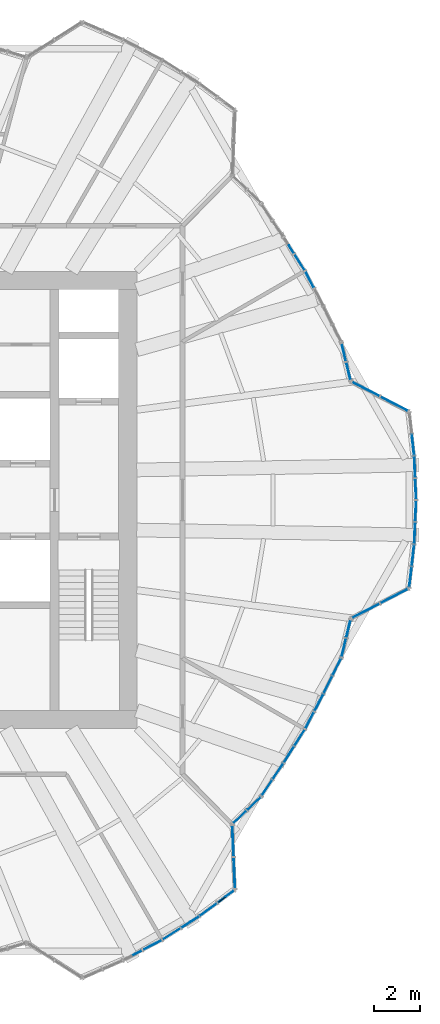
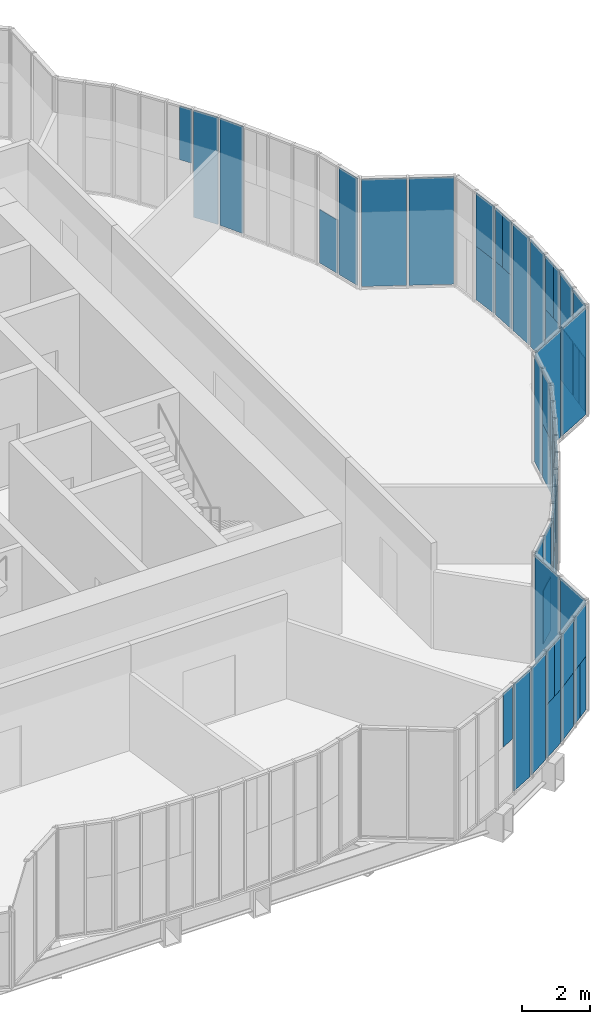
# One storey, part 17 of 24: 59 plates, 19 elements without a shape of their own.
"""IFC4 building model written with IfcOpenShell, lengths in metres."""

from ifc_helpers import new_model, si_unit, direction, frame, origin, origin_2d, place, context, subcontext, project, spatial, rectangle, extrude, material, layer, layer_set, type_object, element, aggregate, save


model = new_model("IFC4")

# Units and contexts
model_context = context("Model", 3, precision=1e-05, world=origin(), true_north=direction((0.0, 1.0)))
body_context = subcontext(model_context, "Body", "Model", "MODEL_VIEW")
ifc_project = project(units=[si_unit("LENGTHUNIT", "METRE"), si_unit("AREAUNIT", "SQUARE_METRE"), si_unit("VOLUMEUNIT", "CUBIC_METRE"), si_unit("PLANEANGLEUNIT", "RADIAN"), si_unit("MASSUNIT", "GRAM", prefix="KILO")], contexts=[model_context])

# Site, building, storey
site_placement = place(None, origin())
site = spatial("IfcSite", under=ifc_project, at=site_placement, CompositionType="ELEMENT")
building_placement = place(site_placement, origin())
building = spatial("IfcBuilding", under=site, at=building_placement, Name="Golbaran Civic Tower", CompositionType="ELEMENT")
storey_placement = place(building_placement, frame((0.0, 0.0, 25.0)))
storey = spatial("IfcBuildingStorey", under=building, at=storey_placement, Name="L05", CompositionType="ELEMENT", Elevation=25.0)

# Curtain wall, plates
ifc_material_1 = material(Name="Aluminium and glass", Category="aluminium")
curtain_wall_type = type_object("IfcCurtainWallType", Name="INNER SKIN CURTAIN WALL", PredefinedType="NOTDEFINED", material=ifc_material_1)
curtain_wall_1_placement = place(storey_placement, origin())
curtain_wall_1 = element("IfcCurtainWall", 1, at=curtain_wall_1_placement, inside=storey, type_object=curtain_wall_type, Name="Inner skin L05 facet 1 CW1", ObjectType="INNER SKIN", PredefinedType="USERDEFINED")
ifc_material_2 = material(Name="Clear insulating glass", Category="glass")
ifc_layer_1 = layer(ifc_material_2, 0.031982421875, Name="Clear insulating glass")
ifc_layer_set_1 = layer_set([ifc_layer_1], Name="Clear insulating glass")
plate_type_1 = type_object("IfcPlateType", Name="INNER SKIN CURTAIN WALL GLAZED PANEL", PredefinedType="CURTAIN_PANEL", material=ifc_layer_set_1)
plate_1_placement = place(storey_placement, frame((22.199951171875, 0.484130859375, 0.06494140625), z_axis=(0.0, 0.0, 1.0), x_axis=(-0.043619387505, 0.999048221576, 0.0)))
plate_1 = element("IfcPlate", 2, at=plate_1_placement, type_object=plate_type_1, Name="CW1 panel 1.1", PredefinedType="CURTAIN_PANEL", context=body_context, shape_type="SweptSolid", body=[
    extrude(rectangle(XDim=0.904296875, YDim=0.031982421875, at=origin_2d()), origin(), (0.0, 0.0, 1.0), 3.8701171875),
])
plate_2_placement = place(storey_placement, frame((22.166259765625, 1.251953125, 2.0), z_axis=(0.0, 0.0, 1.0), x_axis=(-0.043619387505, 0.999048221576, 0.0)))
plate_2 = element("IfcPlate", 3, at=plate_2_placement, type_object=plate_type_1, Name="CW1 panel 2.1 part 2", PredefinedType="CURTAIN_PANEL", context=body_context, shape_type="SweptSolid", body=[
    extrude(rectangle(XDim=0.5029296875, YDim=0.031982421875, at=origin_2d()), origin(), (0.0, 0.0, 1.0), 1.93505859375),
])

curtain_wall_2_placement = place(storey_placement, origin())
curtain_wall_2 = element("IfcCurtainWall", 4, at=curtain_wall_2_placement, inside=storey, type_object=curtain_wall_type, Name="Inner skin L05 facet 3 CW1", ObjectType="INNER SKIN", PredefinedType="USERDEFINED")
plate_3_placement = place(storey_placement, frame((21.261962890625, 4.20263671875, 0.06494140625), z_axis=(0.0, 0.0, 1.0), x_axis=(-0.887428658411, 0.460945090256, 0.0)))
plate_3 = element("IfcPlate", 5, at=plate_3_placement, type_object=plate_type_1, Name="CW1 panel 1.1", PredefinedType="CURTAIN_PANEL", context=body_context, shape_type="SweptSolid", body=[
    extrude(rectangle(XDim=1.33935546875, YDim=0.031982421875, at=origin_2d()), origin(), (0.0, 0.0, 1.0), 3.8701171875),
])
plate_4_placement = place(storey_placement, frame((20.015869140625, 4.849853515625, 0.06494140625), z_axis=(0.0, 0.0, 1.0), x_axis=(-0.887428658411, 0.460945090256, 0.0)))
plate_4 = element("IfcPlate", 6, at=plate_4_placement, type_object=plate_type_1, Name="CW1 panel 2.1", PredefinedType="CURTAIN_PANEL", context=body_context, shape_type="SweptSolid", body=[
    extrude(rectangle(XDim=1.33935546875, YDim=0.031982421875, at=origin_2d()), origin(), (0.0, 0.0, 1.0), 3.8701171875),
])
aggregate(curtain_wall_2, [plate_3, plate_4])

curtain_wall_3_placement = place(storey_placement, origin())
curtain_wall_3 = element("IfcCurtainWall", 7, at=curtain_wall_3_placement, inside=storey, type_object=curtain_wall_type, Name="Inner skin L05 facet 4 CW1", ObjectType="INNER SKIN", PredefinedType="USERDEFINED")
plate_5_placement = place(storey_placement, frame((19.256591796875, 5.631591796875, 0.06494140625), z_axis=(0.0, 0.0, 1.0), x_axis=(-0.235524616461, 0.9718683836, 0.0)))
plate_5 = element("IfcPlate", 8, at=plate_5_placement, type_object=plate_type_1, Name="CW1 panel 1.1", PredefinedType="CURTAIN_PANEL", context=body_context, shape_type="SweptSolid", body=[
    extrude(rectangle(XDim=0.781494140625, YDim=0.031982421875, at=origin_2d()), origin(), (0.0, 0.0, 1.0), 3.8701171875),
])
plate_6_placement = place(storey_placement, frame((19.05712890625, 6.454345703125, 0.06494140625), z_axis=(0.0, 0.0, 1.0), x_axis=(-0.235524616461, 0.9718683836, 0.0)))
plate_6 = element("IfcPlate", 9, at=plate_6_placement, type_object=plate_type_1, Name="CW1 panel 2.1 part 1", PredefinedType="CURTAIN_PANEL", context=body_context, shape_type="SweptSolid", body=[
    extrude(rectangle(XDim=0.781494140625, YDim=0.031982421875, at=origin_2d()), origin(), (0.0, 0.0, 1.0), 1.93505859375),
])
aggregate(curtain_wall_3, [plate_5, plate_6])

# Curtain wall, plate
curtain_wall_4_placement = place(storey_placement, origin())
curtain_wall_4 = element("IfcCurtainWall", 10, at=curtain_wall_4_placement, inside=storey, type_object=curtain_wall_type, Name="Inner skin L05 facet 6 CW1", ObjectType="INNER SKIN", PredefinedType="USERDEFINED")
plate_7_placement = place(storey_placement, frame((17.56298828125, 9.6357421875, 0.06494140625), z_axis=(0.0, 0.0, 1.0), x_axis=(-0.461748613189, 0.887010833202, 0.0)))
plate_7 = element("IfcPlate", 11, at=plate_7_placement, type_object=plate_type_1, Name="CW1 panel 2.1", PredefinedType="CURTAIN_PANEL", context=body_context, shape_type="SweptSolid", body=[
    extrude(rectangle(XDim=0.809326171875, YDim=0.031982421875, at=origin_2d()), origin(), (0.0, 0.0, 1.0), 3.8701171875),
])
aggregate(curtain_wall_4, [plate_7])

# Curtain wall, plates
curtain_wall_5_placement = place(storey_placement, origin())
curtain_wall_5 = element("IfcCurtainWall", 12, at=curtain_wall_5_placement, inside=storey, type_object=curtain_wall_type, Name="Inner skin L05 facet 7 CW1", ObjectType="INNER SKIN", PredefinedType="USERDEFINED")
plate_8_placement = place(storey_placement, frame((17.126220703125, 10.392333984375, 0.06494140625), z_axis=(0.0, 0.0, 1.0), x_axis=(-0.537299608303, 0.843391445841, 0.0)))
plate_8 = element("IfcPlate", 13, at=plate_8_placement, type_object=plate_type_1, Name="CW1 panel 1.1", PredefinedType="CURTAIN_PANEL", context=body_context, shape_type="SweptSolid", body=[
    extrude(rectangle(XDim=0.809326171875, YDim=0.031982421875, at=origin_2d()), origin(), (0.0, 0.0, 1.0), 3.8701171875),
])
plate_9_placement = place(storey_placement, frame((16.764404296875, 10.96044921875, 2.0), z_axis=(0.0, 0.0, 1.0), x_axis=(-0.537299608303, 0.843391445841, 0.0)))
plate_9 = element("IfcPlate", 14, at=plate_9_placement, type_object=plate_type_1, Name="CW1 panel 2.1 part 2", PredefinedType="CURTAIN_PANEL", context=body_context, shape_type="SweptSolid", body=[
    extrude(rectangle(XDim=0.407958984375, YDim=0.031982421875, at=origin_2d()), origin(), (0.0, 0.0, 1.0), 1.93505859375),
])
aggregate(curtain_wall_5, [plate_8, plate_9])

curtain_wall_6_placement = place(storey_placement, origin())
curtain_wall_6 = element("IfcCurtainWall", 15, at=curtain_wall_6_placement, inside=storey, type_object=curtain_wall_type, Name="Inner skin L05 facet 60 CW1", ObjectType="INNER SKIN", PredefinedType="USERDEFINED")
plate_10_placement = place(storey_placement, frame((9.998291015625, -19.822998046875, 2.0), z_axis=(0.0, 0.0, 1.0), x_axis=(0.887010833033, 0.461748613514, 0.0)))
plate_10 = element("IfcPlate", 16, at=plate_10_placement, type_object=plate_type_1, Name="CW1 panel 1.1 part 3", PredefinedType="CURTAIN_PANEL", context=body_context, shape_type="SweptSolid", body=[
    extrude(rectangle(XDim=0.504150390625, YDim=0.031982421875, at=origin_2d()), origin(), (0.0, 0.0, 1.0), 1.93505859375),
])
plate_11_placement = place(storey_placement, frame((10.6806640625, -19.4677734375, 0.06494140625), z_axis=(0.0, 0.0, 1.0), x_axis=(0.887010833033, 0.461748613514, 0.0)))
plate_11 = element("IfcPlate", 17, at=plate_11_placement, type_object=plate_type_1, Name="CW1 panel 2.1", PredefinedType="CURTAIN_PANEL", context=body_context, shape_type="SweptSolid", body=[
    extrude(rectangle(XDim=0.904296875, YDim=0.031982421875, at=origin_2d()), origin(), (0.0, 0.0, 1.0), 3.8701171875),
])
aggregate(curtain_wall_6, [plate_10, plate_11])

curtain_wall_7_placement = place(storey_placement, origin())
curtain_wall_7 = element("IfcCurtainWall", 18, at=curtain_wall_7_placement, inside=storey, type_object=curtain_wall_type, Name="Inner skin L05 facet 61 CW1", ObjectType="INNER SKIN", PredefinedType="USERDEFINED")
plate_12_placement = place(storey_placement, frame((11.519287109375, -18.983642578125, 0.06494140625), z_axis=(0.0, 0.0, 1.0), x_axis=(0.843391445869, 0.537299608259, 0.0)))
plate_12 = element("IfcPlate", 19, at=plate_12_placement, type_object=plate_type_1, Name="CW1 panel 1.1", PredefinedType="CURTAIN_PANEL", context=body_context, shape_type="SweptSolid", body=[
    extrude(rectangle(XDim=0.904296875, YDim=0.031982421875, at=origin_2d()), origin(), (0.0, 0.0, 1.0), 3.8701171875),
])
plate_13_placement = place(storey_placement, frame((12.16748046875, -18.570556640625, 2.0), z_axis=(0.0, 0.0, 1.0), x_axis=(0.843391445869, 0.537299608259, 0.0)))
plate_13 = element("IfcPlate", 20, at=plate_13_placement, type_object=plate_type_1, Name="CW1 panel 2.1 part 2", PredefinedType="CURTAIN_PANEL", context=body_context, shape_type="SweptSolid", body=[
    extrude(rectangle(XDim=0.5029296875, YDim=0.031982421875, at=origin_2d()), origin(), (0.0, 0.0, 1.0), 1.93505859375),
])

# Curtain wall, plate
curtain_wall_8_placement = place(storey_placement, origin())
curtain_wall_8 = element("IfcCurtainWall", 21, at=curtain_wall_8_placement, inside=storey, type_object=curtain_wall_type, Name="Inner skin L05 facet 62 CW1", ObjectType="INNER SKIN", PredefinedType="USERDEFINED")
plate_14_placement = place(storey_placement, frame((14.061767578125, -17.225341796875, 0.06494140625), z_axis=(0.0, 0.0, 1.0), x_axis=(0.802969962931, 0.596019495177, 0.0)))
plate_14 = element("IfcPlate", 22, at=plate_14_placement, type_object=plate_type_1, Name="CW1 panel 2.1 part 2", PredefinedType="CURTAIN_PANEL", context=body_context, shape_type="SweptSolid", body=[
    extrude(rectangle(XDim=0.4716796875, YDim=0.031982421875, at=origin_2d()), origin(), (0.0, 0.0, 1.0), 1.93505859375),
])

# Curtain wall, plates
curtain_wall_9_placement = place(storey_placement, origin())
curtain_wall_9 = element("IfcCurtainWall", 23, at=curtain_wall_9_placement, inside=storey, type_object=curtain_wall_type, Name="Inner skin L05 facet 63 CW1", ObjectType="INNER SKIN", PredefinedType="USERDEFINED")
plate_15_placement = place(storey_placement, frame((14.2705078125, -16.31201171875, 0.06494140625), z_axis=(0.0, 0.0, 1.0), x_axis=(-0.044524171678, 0.999008307341, 0.0)))
plate_15 = element("IfcPlate", 24, at=plate_15_placement, type_object=plate_type_1, Name="CW1 panel 1.1", PredefinedType="CURTAIN_PANEL", context=body_context, shape_type="SweptSolid", body=[
    extrude(rectangle(XDim=1.33935546875, YDim=0.031982421875, at=origin_2d()), origin(), (0.0, 0.0, 1.0), 3.8701171875),
])
plate_16_placement = place(storey_placement, frame((14.2080078125, -14.9091796875, 0.06494140625), z_axis=(0.0, 0.0, 1.0), x_axis=(-0.044524171678, 0.999008307341, 0.0)))
plate_16 = element("IfcPlate", 25, at=plate_16_placement, type_object=plate_type_1, Name="CW1 panel 2.1", PredefinedType="CURTAIN_PANEL", context=body_context, shape_type="SweptSolid", body=[
    extrude(rectangle(XDim=1.33935546875, YDim=0.031982421875, at=origin_2d()), origin(), (0.0, 0.0, 1.0), 3.8701171875),
])
aggregate(curtain_wall_9, [plate_15, plate_16])

curtain_wall_10_placement = place(storey_placement, origin())
curtain_wall_10 = element("IfcCurtainWall", 26, at=curtain_wall_10_placement, inside=storey, type_object=curtain_wall_type, Name="Inner skin L05 facet 64 CW1", ObjectType="INNER SKIN", PredefinedType="USERDEFINED")
plate_17_placement = place(storey_placement, frame((14.50537109375, -13.86083984375, 0.06494140625), z_axis=(0.0, 0.0, 1.0), x_axis=(0.723900401463, 0.689904492493, 0.0)))
plate_17 = element("IfcPlate", 27, at=plate_17_placement, type_object=plate_type_1, Name="CW1 panel 1.1", PredefinedType="CURTAIN_PANEL", context=body_context, shape_type="SweptSolid", body=[
    extrude(rectangle(XDim=0.781494140625, YDim=0.031982421875, at=origin_2d()), origin(), (0.0, 0.0, 1.0), 3.8701171875),
])
plate_18_placement = place(storey_placement, frame((15.1181640625, -13.27685546875, 0.06494140625), z_axis=(0.0, 0.0, 1.0), x_axis=(0.723900401463, 0.689904492493, 0.0)))
plate_18 = element("IfcPlate", 28, at=plate_18_placement, type_object=plate_type_1, Name="CW1 panel 2.1 part 1", PredefinedType="CURTAIN_PANEL", context=body_context, shape_type="SweptSolid", body=[
    extrude(rectangle(XDim=0.781494140625, YDim=0.031982421875, at=origin_2d()), origin(), (0.0, 0.0, 1.0), 1.93505859375),
])

curtain_wall_11_placement = place(storey_placement, origin())
curtain_wall_11 = element("IfcCurtainWall", 29, at=curtain_wall_11_placement, inside=storey, type_object=curtain_wall_type, Name="Inner skin L05 facet 66 CW1", ObjectType="INNER SKIN", PredefinedType="USERDEFINED")
plate_19_placement = place(storey_placement, frame((16.76416015625, -10.960693359375, 2.0), z_axis=(0.0, 0.0, 1.0), x_axis=(0.537299608303, 0.843391445841, 0.0)))
plate_19 = element("IfcPlate", 30, at=plate_19_placement, type_object=plate_type_1, Name="CW1 panel 1.1 part 3", PredefinedType="CURTAIN_PANEL", context=body_context, shape_type="SweptSolid", body=[
    extrude(rectangle(XDim=0.408447265625, YDim=0.031982421875, at=origin_2d()), origin(), (0.0, 0.0, 1.0), 1.93505859375),
])
plate_20_placement = place(storey_placement, frame((17.126220703125, -10.392333984375, 0.06494140625), z_axis=(0.0, 0.0, 1.0), x_axis=(0.537299608303, 0.843391445841, 0.0)))
plate_20 = element("IfcPlate", 31, at=plate_20_placement, type_object=plate_type_1, Name="CW1 panel 2.1", PredefinedType="CURTAIN_PANEL", context=body_context, shape_type="SweptSolid", body=[
    extrude(rectangle(XDim=0.809326171875, YDim=0.031982421875, at=origin_2d()), origin(), (0.0, 0.0, 1.0), 3.8701171875),
])

curtain_wall_12_placement = place(storey_placement, origin())
curtain_wall_12 = element("IfcCurtainWall", 32, at=curtain_wall_12_placement, inside=storey, type_object=curtain_wall_type, Name="Inner skin L05 facet 67 CW1", ObjectType="INNER SKIN", PredefinedType="USERDEFINED")
plate_21_placement = place(storey_placement, frame((17.56298828125, -9.6357421875, 0.06494140625), z_axis=(0.0, 0.0, 1.0), x_axis=(0.461748613189, 0.887010833202, 0.0)))
plate_21 = element("IfcPlate", 33, at=plate_21_placement, type_object=plate_type_1, Name="CW1 panel 1.1", PredefinedType="CURTAIN_PANEL", context=body_context, shape_type="SweptSolid", body=[
    extrude(rectangle(XDim=0.809326171875, YDim=0.031982421875, at=origin_2d()), origin(), (0.0, 0.0, 1.0), 3.8701171875),
])
plate_22_placement = place(storey_placement, frame((17.874267578125, -9.0380859375, 2.0), z_axis=(0.0, 0.0, 1.0), x_axis=(0.461748613189, 0.887010833202, 0.0)))
plate_22 = element("IfcPlate", 34, at=plate_22_placement, type_object=plate_type_1, Name="CW1 panel 2.1 part 2", PredefinedType="CURTAIN_PANEL", context=body_context, shape_type="SweptSolid", body=[
    extrude(rectangle(XDim=0.407958984375, YDim=0.031982421875, at=origin_2d()), origin(), (0.0, 0.0, 1.0), 1.93505859375),
])

curtain_wall_13_placement = place(storey_placement, origin())
curtain_wall_13 = element("IfcCurtainWall", 35, at=curtain_wall_13_placement, inside=storey, type_object=curtain_wall_type, Name="Inner skin L05 facet 69 CW1", ObjectType="INNER SKIN", PredefinedType="USERDEFINED")
plate_23_placement = place(storey_placement, frame((19.05712890625, -6.454345703125, 0.06494140625), z_axis=(0.0, 0.0, 1.0), x_axis=(0.235524616461, 0.9718683836, 0.0)))
plate_23 = element("IfcPlate", 36, at=plate_23_placement, type_object=plate_type_1, Name="CW1 panel 1.1 part 1", PredefinedType="CURTAIN_PANEL", context=body_context, shape_type="SweptSolid", body=[
    extrude(rectangle(XDim=0.781494140625, YDim=0.031982421875, at=origin_2d()), origin(), (0.0, 0.0, 1.0), 1.93505859375),
])
plate_24_placement = place(storey_placement, frame((19.256591796875, -5.631591796875, 0.06494140625), z_axis=(0.0, 0.0, 1.0), x_axis=(0.235524616461, 0.9718683836, 0.0)))
plate_24 = element("IfcPlate", 37, at=plate_24_placement, type_object=plate_type_1, Name="CW1 panel 2.1", PredefinedType="CURTAIN_PANEL", context=body_context, shape_type="SweptSolid", body=[
    extrude(rectangle(XDim=0.781494140625, YDim=0.031982421875, at=origin_2d()), origin(), (0.0, 0.0, 1.0), 3.8701171875),
])

curtain_wall_14_placement = place(storey_placement, origin())
curtain_wall_14 = element("IfcCurtainWall", 38, at=curtain_wall_14_placement, inside=storey, type_object=curtain_wall_type, Name="Inner skin L05 facet 70 CW1", ObjectType="INNER SKIN", PredefinedType="USERDEFINED")
plate_25_placement = place(storey_placement, frame((20.015869140625, -4.849853515625, 0.06494140625), z_axis=(0.0, 0.0, 1.0), x_axis=(0.887428658411, 0.460945090256, 0.0)))
plate_25 = element("IfcPlate", 39, at=plate_25_placement, type_object=plate_type_1, Name="CW1 panel 1.1", PredefinedType="CURTAIN_PANEL", context=body_context, shape_type="SweptSolid", body=[
    extrude(rectangle(XDim=1.33935546875, YDim=0.031982421875, at=origin_2d()), origin(), (0.0, 0.0, 1.0), 3.8701171875),
])
plate_26_placement = place(storey_placement, frame((21.261962890625, -4.20263671875, 0.06494140625), z_axis=(0.0, 0.0, 1.0), x_axis=(0.887428658411, 0.460945090256, 0.0)))
plate_26 = element("IfcPlate", 40, at=plate_26_placement, type_object=plate_type_1, Name="CW1 panel 2.1", PredefinedType="CURTAIN_PANEL", context=body_context, shape_type="SweptSolid", body=[
    extrude(rectangle(XDim=1.33935546875, YDim=0.031982421875, at=origin_2d()), origin(), (0.0, 0.0, 1.0), 3.8701171875),
])
aggregate(curtain_wall_14, [plate_25, plate_26])

# Curtain wall, plate
curtain_wall_15_placement = place(storey_placement, origin())
curtain_wall_15 = element("IfcCurtainWall", 41, at=curtain_wall_15_placement, inside=storey, type_object=curtain_wall_type, Name="Inner skin L05 facet 71 CW1", ObjectType="INNER SKIN", PredefinedType="USERDEFINED")
plate_27_placement = place(storey_placement, frame((21.948486328125, -3.5654296875, 0.06494140625), z_axis=(0.0, 0.0, 1.0), x_axis=(0.114683042492, 0.993402133964, 0.0)))
plate_27 = element("IfcPlate", 42, at=plate_27_placement, type_object=plate_type_1, Name="CW1 panel 1.1 part 1", PredefinedType="CURTAIN_PANEL", context=body_context, shape_type="SweptSolid", body=[
    extrude(rectangle(XDim=0.470947265625, YDim=0.031982421875, at=origin_2d()), origin(), (0.0, 0.0, 1.0), 1.93505859375),
])

# Curtain wall, plates
curtain_wall_16_placement = place(storey_placement, origin())
curtain_wall_16 = element("IfcCurtainWall", 43, at=curtain_wall_16_placement, inside=storey, type_object=curtain_wall_type, Name="Inner skin L05 facet 72 CW1", ObjectType="INNER SKIN", PredefinedType="USERDEFINED")
plate_28_placement = place(storey_placement, frame((22.166259765625, -1.252685546875, 2.0), z_axis=(0.0, 0.0, 1.0), x_axis=(0.043619387505, 0.999048221576, 0.0)))
plate_28 = element("IfcPlate", 44, at=plate_28_placement, type_object=plate_type_1, Name="CW1 panel 1.1 part 3", PredefinedType="CURTAIN_PANEL", context=body_context, shape_type="SweptSolid", body=[
    extrude(rectangle(XDim=0.504150390625, YDim=0.031982421875, at=origin_2d()), origin(), (0.0, 0.0, 1.0), 1.93505859375),
])
plate_29_placement = place(storey_placement, frame((22.199951171875, -0.484130859375, 0.06494140625), z_axis=(0.0, 0.0, 1.0), x_axis=(0.043619387505, 0.999048221576, 0.0)))
plate_29 = element("IfcPlate", 45, at=plate_29_placement, type_object=plate_type_1, Name="CW1 panel 2.1", PredefinedType="CURTAIN_PANEL", context=body_context, shape_type="SweptSolid", body=[
    extrude(rectangle(XDim=0.904296875, YDim=0.031982421875, at=origin_2d()), origin(), (0.0, 0.0, 1.0), 3.8701171875),
])

# Plate
ifc_material_3 = material(Name="Aluminium faced opaque infill panel", Category="aluminium")
ifc_layer_2 = layer(ifc_material_3, 0.031982421875, Name="Aluminium faced opaque infill panel")
ifc_layer_set_2 = layer_set([ifc_layer_2], Name="Aluminium faced opaque infill panel")
plate_type_2 = type_object("IfcPlateType", Name="INNER SKIN CURTAIN WALL OPAQUE INFILL PANEL", PredefinedType="CURTAIN_PANEL", material=ifc_layer_set_2)
plate_30_placement = place(storey_placement, frame((22.157470703125, 1.45263671875, 0.06494140625), z_axis=(0.0, 0.0, 1.0), x_axis=(-0.043619387505, 0.999048221576, 0.0)))
plate_30 = element("IfcPlate", 46, at=plate_30_placement, type_object=plate_type_2, Name="CW1 infill panel 2.1 part 1", PredefinedType="CURTAIN_PANEL", context=body_context, shape_type="SweptSolid", body=[
    extrude(rectangle(XDim=0.904296875, YDim=0.031982421875, at=origin_2d()), origin(), (0.0, 0.0, 1.0), 1.93505859375),
])

plate_31_placement = place(storey_placement, frame((22.146728515625, 1.703857421875, 2.0), z_axis=(0.0, 0.0, 1.0), x_axis=(-0.043619387505, 0.999048221576, 0.0)))
plate_31 = element("IfcPlate", 47, at=plate_31_placement, type_object=plate_type_2, Name="CW1 infill panel 2.1 part 3", PredefinedType="CURTAIN_PANEL", context=body_context, shape_type="SweptSolid", body=[
    extrude(rectangle(XDim=0.4013671875, YDim=0.031982421875, at=origin_2d()), origin(), (0.0, 0.0, 1.0), 1.93505859375),
])

aggregate(curtain_wall_1, [plate_1, plate_30, plate_2, plate_31])

# Curtain wall, plates
curtain_wall_17_placement = place(storey_placement, origin())
curtain_wall_17 = element("IfcCurtainWall", 48, at=curtain_wall_17_placement, inside=storey, type_object=curtain_wall_type, Name="Inner skin L05 facet 2 CW1", ObjectType="INNER SKIN", PredefinedType="USERDEFINED")
plate_32_placement = place(storey_placement, frame((22.080810546875, 2.41845703125, 0.06494140625), z_axis=(0.0, 0.0, 1.0), x_axis=(-0.114683042492, 0.993402133964, 0.0)))
plate_32 = element("IfcPlate", 49, at=plate_32_placement, type_object=plate_type_2, Name="CW1 infill panel 1.1 part 1", PredefinedType="CURTAIN_PANEL", context=body_context, shape_type="SweptSolid", body=[
    extrude(rectangle(XDim=0.905029296875, YDim=0.031982421875, at=origin_2d()), origin(), (0.0, 0.0, 1.0), 1.93505859375),
])
plate_33_placement = place(storey_placement, frame((22.080810546875, 2.41845703125, 2.0), z_axis=(0.0, 0.0, 1.0), x_axis=(-0.114683042492, 0.993402133964, 0.0)))
plate_33 = element("IfcPlate", 50, at=plate_33_placement, type_object=plate_type_2, Name="CW1 infill panel 1.1 part 2", PredefinedType="CURTAIN_PANEL", context=body_context, shape_type="SweptSolid", body=[
    extrude(rectangle(XDim=0.905029296875, YDim=0.031982421875, at=origin_2d()), origin(), (0.0, 0.0, 1.0), 1.93505859375),
])
aggregate(curtain_wall_17, [plate_32, plate_33])

# Plate
plate_34_placement = place(storey_placement, frame((12.336669921875, -18.462890625, 0.06494140625), z_axis=(0.0, 0.0, 1.0), x_axis=(0.843391445869, 0.537299608259, 0.0)))
plate_34 = element("IfcPlate", 51, at=plate_34_placement, type_object=plate_type_2, Name="CW1 infill panel 2.1 part 1", PredefinedType="CURTAIN_PANEL", context=body_context, shape_type="SweptSolid", body=[
    extrude(rectangle(XDim=0.904296875, YDim=0.031982421875, at=origin_2d()), origin(), (0.0, 0.0, 1.0), 1.93505859375),
])

plate_35_placement = place(storey_placement, frame((12.548828125, -18.32763671875, 2.0), z_axis=(0.0, 0.0, 1.0), x_axis=(0.843391445869, 0.537299608259, 0.0)))
plate_35 = element("IfcPlate", 52, at=plate_35_placement, type_object=plate_type_2, Name="CW1 infill panel 2.1 part 3", PredefinedType="CURTAIN_PANEL", context=body_context, shape_type="SweptSolid", body=[
    extrude(rectangle(XDim=0.4013671875, YDim=0.031982421875, at=origin_2d()), origin(), (0.0, 0.0, 1.0), 1.93505859375),
])

aggregate(curtain_wall_7, [plate_12, plate_34, plate_13, plate_35])

plate_36_placement = place(storey_placement, frame((13.135009765625, -17.913330078125, 0.06494140625), z_axis=(0.0, 0.0, 1.0), x_axis=(0.802969962931, 0.596019495177, 0.0)))
plate_36 = element("IfcPlate", 53, at=plate_36_placement, type_object=plate_type_2, Name="CW1 infill panel 1.1 part 1", PredefinedType="CURTAIN_PANEL", context=body_context, shape_type="SweptSolid", body=[
    extrude(rectangle(XDim=0.905029296875, YDim=0.031982421875, at=origin_2d()), origin(), (0.0, 0.0, 1.0), 1.93505859375),
])

plate_37_placement = place(storey_placement, frame((13.135009765625, -17.913330078125, 2.0), z_axis=(0.0, 0.0, 1.0), x_axis=(0.802969962931, 0.596019495177, 0.0)))
plate_37 = element("IfcPlate", 54, at=plate_37_placement, type_object=plate_type_2, Name="CW1 infill panel 1.1 part 2", PredefinedType="CURTAIN_PANEL", context=body_context, shape_type="SweptSolid", body=[
    extrude(rectangle(XDim=0.905029296875, YDim=0.031982421875, at=origin_2d()), origin(), (0.0, 0.0, 1.0), 1.93505859375),
])

plate_38_placement = place(storey_placement, frame((13.71142578125, -17.4853515625, 0.06494140625), z_axis=(0.0, 0.0, 1.0), x_axis=(0.802969962931, 0.596019495177, 0.0)))
plate_38 = element("IfcPlate", 55, at=plate_38_placement, type_object=plate_type_2, Name="CW1 infill panel 2.1 part 1", PredefinedType="CURTAIN_PANEL", context=body_context, shape_type="SweptSolid", body=[
    extrude(rectangle(XDim=0.40087890625, YDim=0.031982421875, at=origin_2d()), origin(), (0.0, 0.0, 1.0), 1.93505859375),
])

plate_39_placement = place(storey_placement, frame((13.90087890625, -17.3447265625, 2.0), z_axis=(0.0, 0.0, 1.0), x_axis=(0.802969962931, 0.596019495177, 0.0)))
plate_39 = element("IfcPlate", 56, at=plate_39_placement, type_object=plate_type_2, Name="CW1 infill panel 2.1 part 3", PredefinedType="CURTAIN_PANEL", context=body_context, shape_type="SweptSolid", body=[
    extrude(rectangle(XDim=0.87255859375, YDim=0.031982421875, at=origin_2d()), origin(), (0.0, 0.0, 1.0), 1.93505859375),
])

aggregate(curtain_wall_8, [plate_36, plate_37, plate_38, plate_14, plate_39])

plate_40_placement = place(storey_placement, frame((15.1181640625, -13.27685546875, 2.0), z_axis=(0.0, 0.0, 1.0), x_axis=(0.723900401463, 0.689904492493, 0.0)))
plate_40 = element("IfcPlate", 57, at=plate_40_placement, type_object=plate_type_2, Name="CW1 infill panel 2.1 part 2", PredefinedType="CURTAIN_PANEL", context=body_context, shape_type="SweptSolid", body=[
    extrude(rectangle(XDim=0.781494140625, YDim=0.031982421875, at=origin_2d()), origin(), (0.0, 0.0, 1.0), 1.93505859375),
])

aggregate(curtain_wall_10, [plate_17, plate_18, plate_40])

# Curtain wall, plates
curtain_wall_18_placement = place(storey_placement, origin())
curtain_wall_18 = element("IfcCurtainWall", 58, at=curtain_wall_18_placement, inside=storey, type_object=curtain_wall_type, Name="Inner skin L05 facet 65 CW1", ObjectType="INNER SKIN", PredefinedType="USERDEFINED")
plate_41_placement = place(storey_placement, frame((15.700439453125, -12.5830078125, 0.06494140625), z_axis=(0.0, 0.0, 1.0), x_axis=(0.553719307998, 0.832703385336, 0.0)))
plate_41 = element("IfcPlate", 59, at=plate_41_placement, type_object=plate_type_2, Name="CW1 infill panel 1.1 part 1", PredefinedType="CURTAIN_PANEL", context=body_context, shape_type="SweptSolid", body=[
    extrude(rectangle(XDim=0.781494140625, YDim=0.031982421875, at=origin_2d()), origin(), (0.0, 0.0, 1.0), 1.93505859375),
])
plate_42_placement = place(storey_placement, frame((15.700439453125, -12.5830078125, 2.0), z_axis=(0.0, 0.0, 1.0), x_axis=(0.553719307998, 0.832703385336, 0.0)))
plate_42 = element("IfcPlate", 60, at=plate_42_placement, type_object=plate_type_2, Name="CW1 infill panel 1.1 part 2", PredefinedType="CURTAIN_PANEL", context=body_context, shape_type="SweptSolid", body=[
    extrude(rectangle(XDim=0.781494140625, YDim=0.031982421875, at=origin_2d()), origin(), (0.0, 0.0, 1.0), 1.93505859375),
])
plate_43_placement = place(storey_placement, frame((16.17822265625, -11.864501953125, 0.06494140625), z_axis=(0.0, 0.0, 1.0), x_axis=(0.553719307998, 0.832703385336, 0.0)))
plate_43 = element("IfcPlate", 61, at=plate_43_placement, type_object=plate_type_2, Name="CW1 infill panel 2.1 part 1", PredefinedType="CURTAIN_PANEL", context=body_context, shape_type="SweptSolid", body=[
    extrude(rectangle(XDim=0.81396484375, YDim=0.031982421875, at=origin_2d()), origin(), (0.0, 0.0, 1.0), 1.93505859375),
])
plate_44_placement = place(storey_placement, frame((16.17822265625, -11.864501953125, 2.0), z_axis=(0.0, 0.0, 1.0), x_axis=(0.553719307998, 0.832703385336, 0.0)))
plate_44 = element("IfcPlate", 62, at=plate_44_placement, type_object=plate_type_2, Name="CW1 infill panel 2.1 part 2", PredefinedType="CURTAIN_PANEL", context=body_context, shape_type="SweptSolid", body=[
    extrude(rectangle(XDim=0.81396484375, YDim=0.031982421875, at=origin_2d()), origin(), (0.0, 0.0, 1.0), 1.93505859375),
])
aggregate(curtain_wall_18, [plate_41, plate_42, plate_43, plate_44])

# Plate
plate_45_placement = place(storey_placement, frame((16.656494140625, -11.129638671875, 0.06494140625), z_axis=(0.0, 0.0, 1.0), x_axis=(0.537299608303, 0.843391445841, 0.0)))
plate_45 = element("IfcPlate", 63, at=plate_45_placement, type_object=plate_type_2, Name="CW1 infill panel 1.1 part 1", PredefinedType="CURTAIN_PANEL", context=body_context, shape_type="SweptSolid", body=[
    extrude(rectangle(XDim=0.809326171875, YDim=0.031982421875, at=origin_2d()), origin(), (0.0, 0.0, 1.0), 1.93505859375),
])

plate_46_placement = place(storey_placement, frame((16.546630859375, -11.302001953125, 2.0), z_axis=(0.0, 0.0, 1.0), x_axis=(0.537299608303, 0.843391445841, 0.0)))
plate_46 = element("IfcPlate", 64, at=plate_46_placement, type_object=plate_type_2, Name="CW1 infill panel 1.1 part 2", PredefinedType="CURTAIN_PANEL", context=body_context, shape_type="SweptSolid", body=[
    extrude(rectangle(XDim=0.40087890625, YDim=0.031982421875, at=origin_2d()), origin(), (0.0, 0.0, 1.0), 1.93505859375),
])

aggregate(curtain_wall_11, [plate_45, plate_46, plate_19, plate_20])

plate_47_placement = place(storey_placement, frame((17.966796875, -8.860107421875, 0.06494140625), z_axis=(0.0, 0.0, 1.0), x_axis=(0.461748613189, 0.887010833202, 0.0)))
plate_47 = element("IfcPlate", 65, at=plate_47_placement, type_object=plate_type_2, Name="CW1 infill panel 2.1 part 1", PredefinedType="CURTAIN_PANEL", context=body_context, shape_type="SweptSolid", body=[
    extrude(rectangle(XDim=0.809326171875, YDim=0.031982421875, at=origin_2d()), origin(), (0.0, 0.0, 1.0), 1.93505859375),
])

plate_48_placement = place(storey_placement, frame((18.06103515625, -8.67919921875, 2.0), z_axis=(0.0, 0.0, 1.0), x_axis=(0.461748613189, 0.887010833202, 0.0)))
plate_48 = element("IfcPlate", 66, at=plate_48_placement, type_object=plate_type_2, Name="CW1 infill panel 2.1 part 3", PredefinedType="CURTAIN_PANEL", context=body_context, shape_type="SweptSolid", body=[
    extrude(rectangle(XDim=0.4013671875, YDim=0.031982421875, at=origin_2d()), origin(), (0.0, 0.0, 1.0), 1.93505859375),
])

aggregate(curtain_wall_12, [plate_21, plate_47, plate_22, plate_48])

# Curtain wall, plates
curtain_wall_19_placement = place(storey_placement, origin())
curtain_wall_19 = element("IfcCurtainWall", 67, at=curtain_wall_19_placement, inside=storey, type_object=curtain_wall_type, Name="Inner skin L05 facet 68 CW1", ObjectType="INNER SKIN", PredefinedType="USERDEFINED")
plate_49_placement = place(storey_placement, frame((18.364013671875, -8.078369140625, 0.06494140625), z_axis=(0.0, 0.0, 1.0), x_axis=(0.444282631597, 0.895886679922, 0.0)))
plate_49 = element("IfcPlate", 68, at=plate_49_placement, type_object=plate_type_2, Name="CW1 infill panel 1.1 part 1", PredefinedType="CURTAIN_PANEL", context=body_context, shape_type="SweptSolid", body=[
    extrude(rectangle(XDim=0.81396484375, YDim=0.031982421875, at=origin_2d()), origin(), (0.0, 0.0, 1.0), 1.93505859375),
])
plate_50_placement = place(storey_placement, frame((18.364013671875, -8.078369140625, 2.0), z_axis=(0.0, 0.0, 1.0), x_axis=(0.444282631597, 0.895886679922, 0.0)))
plate_50 = element("IfcPlate", 69, at=plate_50_placement, type_object=plate_type_2, Name="CW1 infill panel 1.1 part 2", PredefinedType="CURTAIN_PANEL", context=body_context, shape_type="SweptSolid", body=[
    extrude(rectangle(XDim=0.81396484375, YDim=0.031982421875, at=origin_2d()), origin(), (0.0, 0.0, 1.0), 1.93505859375),
])
plate_51_placement = place(storey_placement, frame((18.747314453125, -7.305419921875, 0.06494140625), z_axis=(0.0, 0.0, 1.0), x_axis=(0.444282631597, 0.895886679922, 0.0)))
plate_51 = element("IfcPlate", 70, at=plate_51_placement, type_object=plate_type_2, Name="CW1 infill panel 2.1 part 1", PredefinedType="CURTAIN_PANEL", context=body_context, shape_type="SweptSolid", body=[
    extrude(rectangle(XDim=0.781494140625, YDim=0.031982421875, at=origin_2d()), origin(), (0.0, 0.0, 1.0), 1.93505859375),
])
plate_52_placement = place(storey_placement, frame((18.747314453125, -7.305419921875, 2.0), z_axis=(0.0, 0.0, 1.0), x_axis=(0.444282631597, 0.895886679922, 0.0)))
plate_52 = element("IfcPlate", 71, at=plate_52_placement, type_object=plate_type_2, Name="CW1 infill panel 2.1 part 2", PredefinedType="CURTAIN_PANEL", context=body_context, shape_type="SweptSolid", body=[
    extrude(rectangle(XDim=0.781494140625, YDim=0.031982421875, at=origin_2d()), origin(), (0.0, 0.0, 1.0), 1.93505859375),
])
aggregate(curtain_wall_19, [plate_49, plate_50, plate_51, plate_52])

# Plate
plate_53_placement = place(storey_placement, frame((19.05712890625, -6.454345703125, 2.0), z_axis=(0.0, 0.0, 1.0), x_axis=(0.235524616461, 0.9718683836, 0.0)))
plate_53 = element("IfcPlate", 72, at=plate_53_placement, type_object=plate_type_2, Name="CW1 infill panel 1.1 part 2", PredefinedType="CURTAIN_PANEL", context=body_context, shape_type="SweptSolid", body=[
    extrude(rectangle(XDim=0.781494140625, YDim=0.031982421875, at=origin_2d()), origin(), (0.0, 0.0, 1.0), 1.93505859375),
])

aggregate(curtain_wall_13, [plate_23, plate_53, plate_24])

plate_54_placement = place(storey_placement, frame((21.99853515625, -3.132080078125, 0.06494140625), z_axis=(0.0, 0.0, 1.0), x_axis=(0.114683042492, 0.993402133964, 0.0)))
plate_54 = element("IfcPlate", 73, at=plate_54_placement, type_object=plate_type_2, Name="CW1 infill panel 1.1 part 2", PredefinedType="CURTAIN_PANEL", context=body_context, shape_type="SweptSolid", body=[
    extrude(rectangle(XDim=0.401611328125, YDim=0.031982421875, at=origin_2d()), origin(), (0.0, 0.0, 1.0), 1.93505859375),
])

plate_55_placement = place(storey_placement, frame((21.971435546875, -3.365966796875, 2.0), z_axis=(0.0, 0.0, 1.0), x_axis=(0.114683042492, 0.993402133964, 0.0)))
plate_55 = element("IfcPlate", 74, at=plate_55_placement, type_object=plate_type_2, Name="CW1 infill panel 1.1 part 3", PredefinedType="CURTAIN_PANEL", context=body_context, shape_type="SweptSolid", body=[
    extrude(rectangle(XDim=0.87255859375, YDim=0.031982421875, at=origin_2d()), origin(), (0.0, 0.0, 1.0), 1.93505859375),
])

plate_56_placement = place(storey_placement, frame((22.080810546875, -2.41845703125, 0.06494140625), z_axis=(0.0, 0.0, 1.0), x_axis=(0.114683042492, 0.993402133964, 0.0)))
plate_56 = element("IfcPlate", 75, at=plate_56_placement, type_object=plate_type_2, Name="CW1 infill panel 2.1 part 1", PredefinedType="CURTAIN_PANEL", context=body_context, shape_type="SweptSolid", body=[
    extrude(rectangle(XDim=0.905029296875, YDim=0.031982421875, at=origin_2d()), origin(), (0.0, 0.0, 1.0), 1.93505859375),
])

plate_57_placement = place(storey_placement, frame((22.080810546875, -2.41845703125, 2.0), z_axis=(0.0, 0.0, 1.0), x_axis=(0.114683042492, 0.993402133964, 0.0)))
plate_57 = element("IfcPlate", 76, at=plate_57_placement, type_object=plate_type_2, Name="CW1 infill panel 2.1 part 2", PredefinedType="CURTAIN_PANEL", context=body_context, shape_type="SweptSolid", body=[
    extrude(rectangle(XDim=0.905029296875, YDim=0.031982421875, at=origin_2d()), origin(), (0.0, 0.0, 1.0), 1.93505859375),
])

aggregate(curtain_wall_15, [plate_27, plate_54, plate_55, plate_56, plate_57])

plate_58_placement = place(storey_placement, frame((22.157470703125, -1.45263671875, 0.06494140625), z_axis=(0.0, 0.0, 1.0), x_axis=(0.043619387505, 0.999048221576, 0.0)))
plate_58 = element("IfcPlate", 77, at=plate_58_placement, type_object=plate_type_2, Name="CW1 infill panel 1.1 part 1", PredefinedType="CURTAIN_PANEL", context=body_context, shape_type="SweptSolid", body=[
    extrude(rectangle(XDim=0.904296875, YDim=0.031982421875, at=origin_2d()), origin(), (0.0, 0.0, 1.0), 1.93505859375),
])

plate_59_placement = place(storey_placement, frame((22.146484375, -1.704345703125, 2.0), z_axis=(0.0, 0.0, 1.0), x_axis=(0.043619387505, 0.999048221576, 0.0)))
plate_59 = element("IfcPlate", 78, at=plate_59_placement, type_object=plate_type_2, Name="CW1 infill panel 1.1 part 2", PredefinedType="CURTAIN_PANEL", context=body_context, shape_type="SweptSolid", body=[
    extrude(rectangle(XDim=0.39990234375, YDim=0.031982421875, at=origin_2d()), origin(), (0.0, 0.0, 1.0), 1.93505859375),
])

aggregate(curtain_wall_16, [plate_58, plate_59, plate_28, plate_29])

save(model, "model.ifc")
